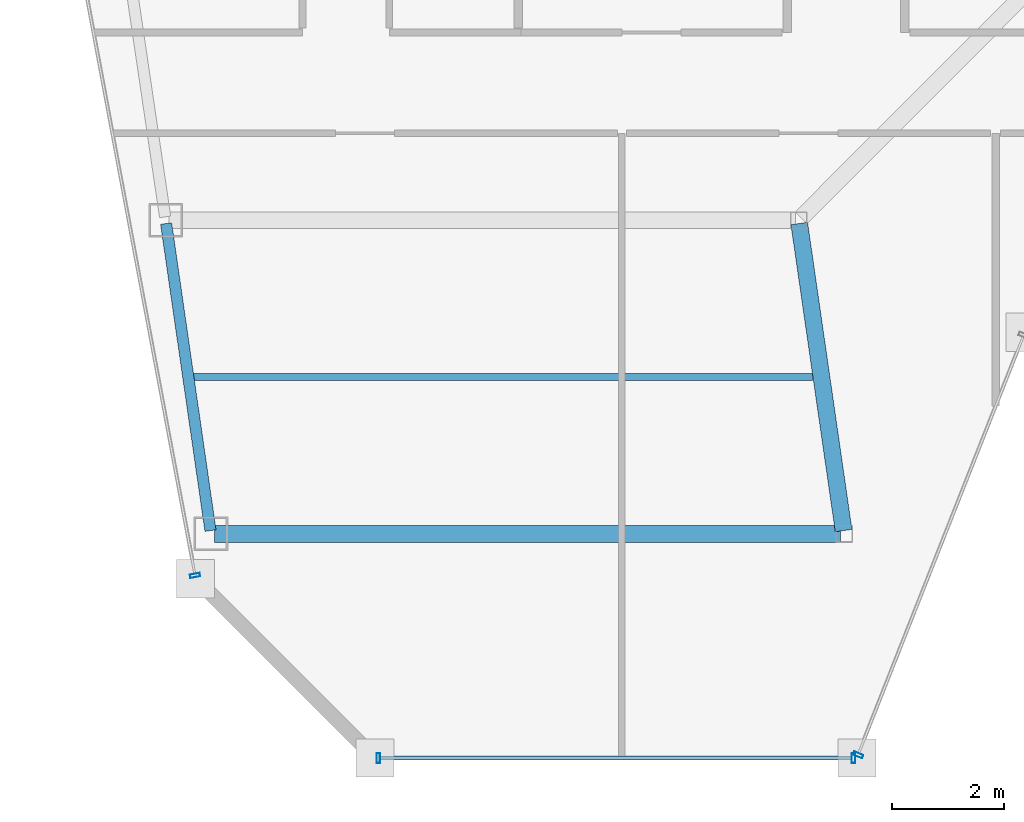
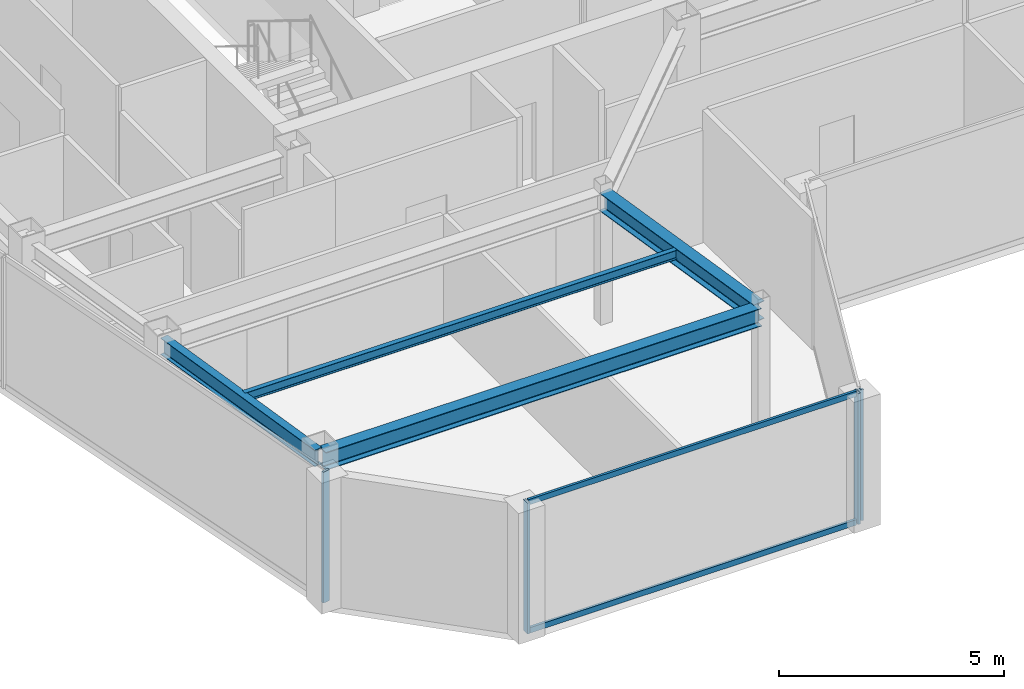
# One storey, part 3 of 23: 6 members, 4 beams, 3 elements without a shape of their own.
"""IFC4 building model written with IfcOpenShell, lengths in metres."""

from ifc_helpers import new_model, si_unit, direction, frame, origin, origin_2d, place, context, subcontext, project, spatial, hollow_rectangle, i_section, extrude, material, material_profile, profile_set, type_object, element, aggregate, save


model = new_model("IFC4")

# Units and contexts
model_context = context("Model", 3, precision=1e-05, world=origin(), true_north=direction((0.0, 1.0)))
body_context = subcontext(model_context, "Body", "Model", "MODEL_VIEW")
ifc_project = project(units=[si_unit("LENGTHUNIT", "METRE"), si_unit("AREAUNIT", "SQUARE_METRE"), si_unit("VOLUMEUNIT", "CUBIC_METRE"), si_unit("PLANEANGLEUNIT", "RADIAN"), si_unit("MASSUNIT", "GRAM", prefix="KILO")], contexts=[model_context])

# Site, building, storey
site_placement = place(None, origin())
site = spatial("IfcSite", under=ifc_project, at=site_placement, CompositionType="ELEMENT")
building_placement = place(site_placement, origin())
building = spatial("IfcBuilding", under=site, at=building_placement, Name="Saevonmaru Cultural Tower", CompositionType="ELEMENT")
storey_placement = place(building_placement, frame((0.0, 0.0, 280.0)))
storey = spatial("IfcBuildingStorey", under=building, at=storey_placement, Name="L66", CompositionType="ELEMENT", Elevation=280.0)

# Beams
ifc_material_1 = material(Name="Steel SM355", Category="steel")
ifc_material_profile_1 = material_profile(ifc_material_1, i_section(OverallWidth=0.300048828125, OverallDepth=0.488037109375, WebThickness=0.010986328125, FlangeThickness=0.01806640625, FilletRadius=0.02197265625, at=origin_2d()), Name="H-488x300x11x18")
ifc_profile_set_1 = profile_set([ifc_material_profile_1], Name="Steel SM355")
beam_type_1 = type_object("IfcBeamType", Name="BM-G-H488", PredefinedType="BEAM", material=ifc_profile_set_1)
beam_1_placement = place(storey_placement, frame((19.6083984375, 32.059326171875, 3.305908203125), z_axis=(-0.142964121327, 0.989727871697, 0.0), x_axis=(-0.989727871697, -0.142964121327, 0.0)))
element("IfcBeam", 1, at=beam_1_placement, inside=storey, type_object=beam_type_1, Name="L66 West Atrium Girder 1", PredefinedType="BEAM", context=body_context, shape_type="SweptSolid", body=[
    extrude(i_section(OverallWidth=0.300048828125, OverallDepth=0.488037109375, WebThickness=0.010986328125, FlangeThickness=0.01806640625, FilletRadius=0.02197265625, at=origin_2d()), origin(), (0.0, 0.0, 1.0), 5.5380859375),
])
beam_2_placement = place(storey_placement, frame((8.376953125, 32.0, 3.305908203125), z_axis=(1.0, 0.0, 0.0), x_axis=(0.0, 1.0, 0.0)))
element("IfcBeam", 2, at=beam_2_placement, inside=storey, type_object=beam_type_1, Name="L66 West Wing Transverse Girder 1", PredefinedType="BEAM", context=body_context, shape_type="SweptSolid", body=[
    extrude(i_section(OverallWidth=0.300048828125, OverallDepth=0.488037109375, WebThickness=0.010986328125, FlangeThickness=0.01806640625, FilletRadius=0.02197265625, at=origin_2d()), origin(), (0.0, 0.0, 1.0), 11.179931640625),
])
ifc_material_profile_2 = material_profile(ifc_material_1, i_section(OverallWidth=0.125, OverallDepth=0.25, WebThickness=0.006103515625, FlangeThickness=0.009033203125, FilletRadius=0.008056640625, at=origin_2d()), Name="H-250x125x6x9")
ifc_profile_set_2 = profile_set([ifc_material_profile_2], Name="Steel SM355")
beam_type_2 = type_object("IfcBeamType", Name="BM-J-H250", PredefinedType="JOIST", material=ifc_profile_set_2)
beam_3_placement = place(storey_placement, frame((7.972412109375, 34.800048828125, 3.425048828125), z_axis=(1.0, 0.0, 0.0), x_axis=(0.0, 1.0, 0.0)))
element("IfcBeam", 3, at=beam_3_placement, inside=storey, type_object=beam_type_2, Name="L66 West Wing Floor Joist 1", PredefinedType="JOIST", context=body_context, shape_type="SweptSolid", body=[
    extrude(i_section(OverallWidth=0.125, OverallDepth=0.25, WebThickness=0.006103515625, FlangeThickness=0.009033203125, FilletRadius=0.008056640625, at=origin_2d()), origin(), (0.0, 0.0, 1.0), 11.08203125),
])
ifc_material_profile_3 = material_profile(ifc_material_1, i_section(OverallWidth=0.199951171875, OverallDepth=0.449951171875, WebThickness=0.009033203125, FlangeThickness=0.013916015625, FilletRadius=0.01806640625, at=origin_2d()), Name="H-450x200x9x14")
ifc_profile_set_3 = profile_set([ifc_material_profile_3], Name="Steel SM355")
beam_type_3 = type_object("IfcBeamType", Name="BM-SP-H450", PredefinedType="SPANDREL", material=ifc_profile_set_3)
beam_4_placement = place(storey_placement, frame((8.308349609375, 32.059326171875, 3.324951171875), z_axis=(-0.142964121327, 0.989727871697, 0.0), x_axis=(-0.989727871697, -0.142964121327, 0.0)))
element("IfcBeam", 4, at=beam_4_placement, inside=storey, type_object=beam_type_3, Name="L66 West Splayed Spandrel 1", PredefinedType="SPANDREL", context=body_context, shape_type="SweptSolid", body=[
    extrude(i_section(OverallWidth=0.199951171875, OverallDepth=0.449951171875, WebThickness=0.009033203125, FlangeThickness=0.013916015625, FilletRadius=0.01806640625, at=origin_2d()), origin(), (0.0, 0.0, 1.0), 5.5380859375),
])

# Curtain wall, members
ifc_material_2 = material(Name="Satin Bronze Anodised Aluminium", Category="aluminium")
curtain_wall_type = type_object("IfcCurtainWallType", Name="CW-TYP-B", PredefinedType="NOTDEFINED", material=ifc_material_2)
curtain_wall_1_placement = place(storey_placement, origin())
curtain_wall_1 = element("IfcCurtainWall", 5, at=curtain_wall_1_placement, inside=storey, type_object=curtain_wall_type, Name="L66 Unitised Curtain Wall E2", PredefinedType="NOTDEFINED")
ifc_material_profile_4 = material_profile(ifc_material_2, hollow_rectangle(XDim=0.06494140625, YDim=0.179931640625, WallThickness=0.00390625, at=origin_2d()), Name="ALU-MULL-180x65x4")
ifc_profile_set_4 = profile_set([ifc_material_profile_4], Name="Satin Bronze Anodised Aluminium")
member_type_1 = type_object("IfcMemberType", Name="ML-CW-180x65", PredefinedType="MULLION", material=ifc_profile_set_4)
member_1_placement = place(storey_placement, frame((11.304443359375, 28.0, 0.0), z_axis=(0.0, 0.0, 1.0), x_axis=(1.0, 0.0, 0.0)))
member_1 = element("IfcMember", 6, at=member_1_placement, type_object=member_type_1, Name="CW-TW-L66-E2 mullion 1", PredefinedType="MULLION", context=body_context, shape_type="SweptSolid", body=[
    extrude(hollow_rectangle(XDim=0.06494140625, YDim=0.179931640625, WallThickness=0.00390625, at=origin_2d()), origin(), (0.0, 0.0, 1.0), 3.550048828125),
])
member_2_placement = place(storey_placement, frame((19.784423828125, 28.0, 0.0), z_axis=(0.0, 0.0, 1.0), x_axis=(1.0, 0.0, 0.0)))
member_2 = element("IfcMember", 7, at=member_2_placement, type_object=member_type_1, Name="CW-TW-L66-E2 mullion 2", PredefinedType="MULLION", context=body_context, shape_type="SweptSolid", body=[
    extrude(hollow_rectangle(XDim=0.06494140625, YDim=0.179931640625, WallThickness=0.00390625, at=origin_2d()), origin(), (0.0, 0.0, 1.0), 3.550048828125),
])

# Curtain wall, member
curtain_wall_2_placement = place(storey_placement, origin())
curtain_wall_2 = element("IfcCurtainWall", 8, at=curtain_wall_2_placement, inside=storey, type_object=curtain_wall_type, Name="L66 Unitised Curtain Wall E3", PredefinedType="NOTDEFINED")
member_3_placement = place(storey_placement, frame((19.866455078125, 28.055908203125, 0.0), z_axis=(0.0, 0.0, 1.0), x_axis=(0.367172185578, 0.930152990716, 0.0)))
member_3 = element("IfcMember", 9, at=member_3_placement, type_object=member_type_1, Name="CW-TW-L66-E3 mullion 1", PredefinedType="MULLION", context=body_context, shape_type="SweptSolid", body=[
    extrude(hollow_rectangle(XDim=0.06494140625, YDim=0.179931640625, WallThickness=0.00390625, at=origin_2d()), origin(), (0.0, 0.0, 1.0), 3.550048828125),
])
aggregate(curtain_wall_2, [member_3])

curtain_wall_3_placement = place(storey_placement, origin())
curtain_wall_3 = element("IfcCurtainWall", 10, at=curtain_wall_3_placement, inside=storey, type_object=curtain_wall_type, Name="L66 Unitised Curtain Wall E12", PredefinedType="NOTDEFINED")
member_4_placement = place(storey_placement, frame((8.033447265625, 31.259033203125, 0.0), z_axis=(0.0, 0.0, 1.0), x_axis=(0.184046528232, -0.982917532373, 0.0)))
member_4 = element("IfcMember", 11, at=member_4_placement, type_object=member_type_1, Name="CW-TW-L66-E12 mullion 3", PredefinedType="MULLION", context=body_context, shape_type="SweptSolid", body=[
    extrude(hollow_rectangle(XDim=0.06494140625, YDim=0.179931640625, WallThickness=0.00390625, at=origin_2d()), origin(), (0.0, 0.0, 1.0), 3.550048828125),
])
aggregate(curtain_wall_3, [member_4])

# Member
ifc_material_profile_5 = material_profile(ifc_material_2, hollow_rectangle(XDim=0.06494140625, YDim=0.14990234375, WallThickness=0.00390625, at=origin_2d()), Name="ALU-TRAN-150x65x4")
ifc_profile_set_5 = profile_set([ifc_material_profile_5], Name="Satin Bronze Anodised Aluminium")
member_type_2 = type_object("IfcMemberType", Name="TR-CW-150x65", PredefinedType="USERDEFINED", material=ifc_profile_set_5)
member_5_placement = place(storey_placement, frame((11.3369140625, 28.0, 0.032470703125), z_axis=(1.0, 0.0, 0.0), x_axis=(0.0, 1.0, 0.0)))
member_5 = element("IfcMember", 12, at=member_5_placement, type_object=member_type_2, Name="CW-TW-L66-E2 transom 1.1", ObjectType="TRANSOM", PredefinedType="USERDEFINED", context=body_context, shape_type="SweptSolid", body=[
    extrude(hollow_rectangle(XDim=0.06494140625, YDim=0.14990234375, WallThickness=0.00390625, at=origin_2d()), origin(), (0.0, 0.0, 1.0), 8.4150390625),
])

member_6_placement = place(storey_placement, frame((11.3369140625, 28.0, 3.517578125), z_axis=(1.0, 0.0, 0.0), x_axis=(0.0, 1.0, 0.0)))
member_6 = element("IfcMember", 13, at=member_6_placement, type_object=member_type_2, Name="CW-TW-L66-E2 transom 1.2", ObjectType="TRANSOM", PredefinedType="USERDEFINED", context=body_context, shape_type="SweptSolid", body=[
    extrude(hollow_rectangle(XDim=0.06494140625, YDim=0.14990234375, WallThickness=0.00390625, at=origin_2d()), origin(), (0.0, 0.0, 1.0), 8.4150390625),
])

aggregate(curtain_wall_1, [member_1, member_2, member_5, member_6])

save(model, "model.ifc")
